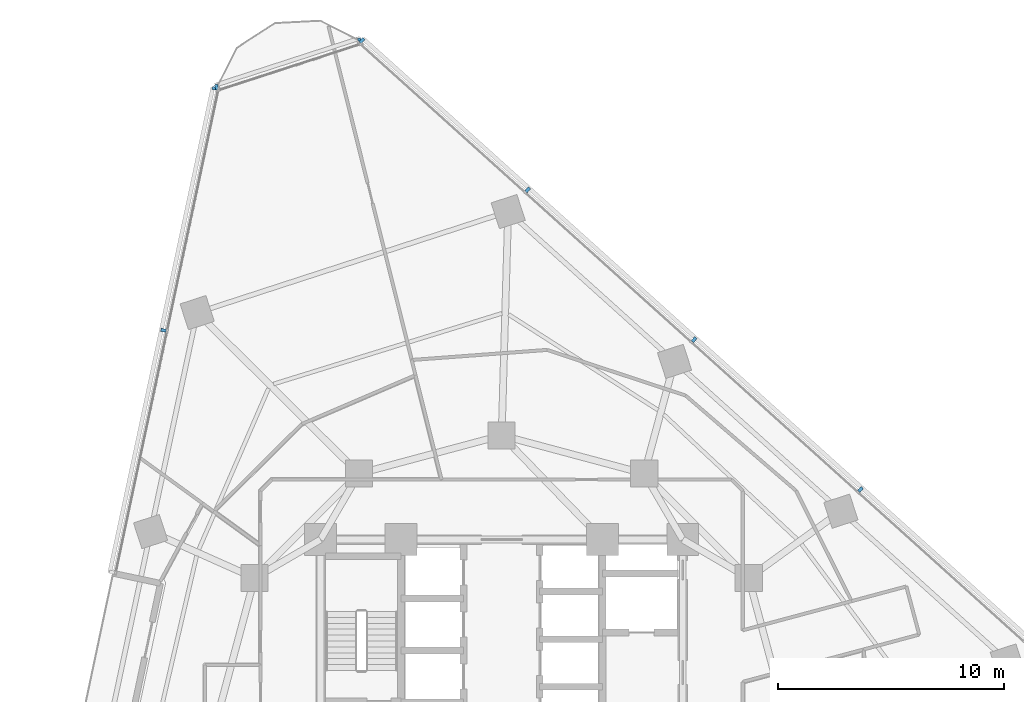
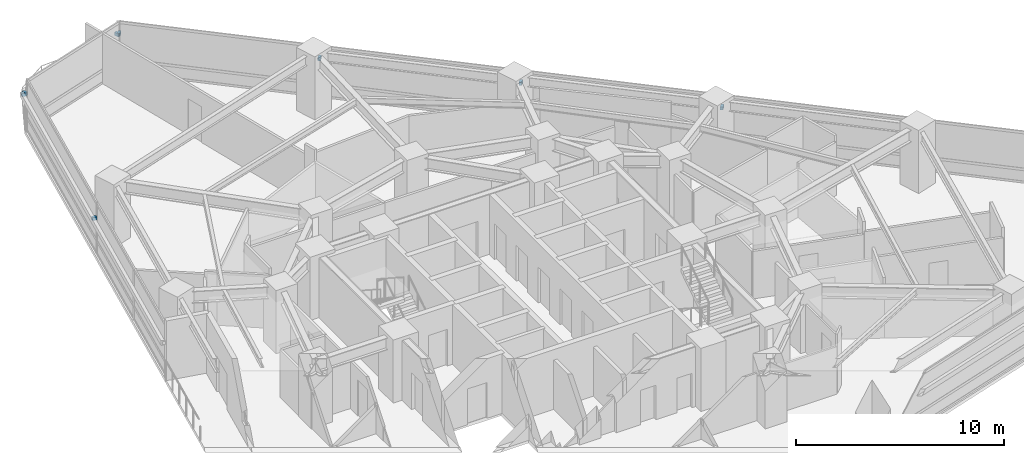
# One storey, part 11 of 14: 8 discrete accessories.
"""IFC4 building model written with IfcOpenShell, lengths in metres."""

from ifc_helpers import new_model, si_unit, direction, frame, origin, origin_2d, place, context, subcontext, project, spatial, rectangle, extrude, material, type_object, element, save


model = new_model("IFC4")

# Units and contexts
model_context = context("Model", 3, precision=1e-05, world=origin(), true_north=direction((0.0, 1.0)))
body_context = subcontext(model_context, "Body", "Model", "MODEL_VIEW")
ifc_project = project(units=[si_unit("LENGTHUNIT", "METRE"), si_unit("AREAUNIT", "SQUARE_METRE"), si_unit("VOLUMEUNIT", "CUBIC_METRE"), si_unit("PLANEANGLEUNIT", "RADIAN"), si_unit("MASSUNIT", "GRAM", prefix="KILO")], contexts=[model_context])

# Site, building, storey
site_placement = place(None, origin())
site = spatial("IfcSite", under=ifc_project, at=site_placement, CompositionType="ELEMENT")
building_placement = place(site_placement, origin())
building = spatial("IfcBuilding", under=site, at=building_placement, Name="Terralouvre Media Tower", CompositionType="ELEMENT")
storey_placement = place(building_placement, frame((0.0, 0.0, 112.5)))
storey = spatial("IfcBuildingStorey", under=building, at=storey_placement, Name="L28", CompositionType="ELEMENT", Elevation=112.5)

# Discrete accessories
ifc_material = material(Name="Anodised extruded aluminium 6063-T6", Category="aluminium")
discrete_accessory_type = type_object("IfcDiscreteAccessoryType", Name="Mullion Stand-Off Baguette Fixing Bracket BK-01", PredefinedType="BRACKET", material=ifc_material)
for number, where, z_axis, x_axis, name in (
    (1, (15.846923828125, 10.211181640625, 2.07421875), (0.0, 0.0, 1.0), (-0.743144795545, 0.669130639602, 0.0), "CW-L28-F1 Baguette Outrigger Bracket 1.03"),
    (2, (8.498779296875, 16.82763671875, 2.07421875), (0.0, 0.0, 1.0), (-0.743144795545, 0.669130639602, 0.0), "CW-L28-F1 Baguette Outrigger Bracket 1.04"),
    (3, (1.150634765625, 23.44384765625, 2.07421875), (0.0, 0.0, 1.0), (-0.743144795545, 0.669130639602, 0.0), "CW-L28-F1 Baguette Outrigger Bracket 1.05"),
    (4, (-6.169677734375, 30.03515625, 2.07421875), (0.0, 0.0, 1.0), (-0.743144795545, 0.669130639602, 0.0), "CW-L28-F1 Baguette Outrigger Bracket 1.06"),
    (5, (-12.662841796875, 27.925537109375, 2.07421875), (0.0, 0.0, 1.0), (-0.207911898634, -0.978147556561, 0.0), "CW-L28-F2L Baguette Outrigger Bracket 1.01"),
    (6, (-14.93359375, 17.24169921875, 2.07421875), (0.0, 0.0, 1.0), (-0.207911898634, -0.978147556561, 0.0), "CW-L28-F2L Baguette Outrigger Bracket 1.02"),
    (7, (-6.266357421875, 30.0380859375, 2.07421875), (0.0, 0.0, 1.0), (-0.951056286408, -0.309017701894, 0.0), "CW-L28-C2 Baguette Outrigger Bracket 1.01"),
    (8, (-12.58642578125, 27.984375, 2.07421875), (0.0, 0.0, 1.0), (-0.951056286408, -0.309017701894, 0.0), "CW-L28-C2 Baguette Outrigger Bracket 1.02"),
):
    element("IfcDiscreteAccessory", number, at=place(storey_placement, frame(where, z_axis=z_axis, x_axis=x_axis)), inside=storey, type_object=discrete_accessory_type, Name=name, PredefinedType="BRACKET", context=body_context, shape_type="SweptSolid", body=[
        extrude(rectangle(XDim=0.139892578125, YDim=0.239990234375, at=origin_2d()), origin(), (0.0, 0.0, 1.0), 0.179931640625),
    ])

save(model, "model.ifc")
